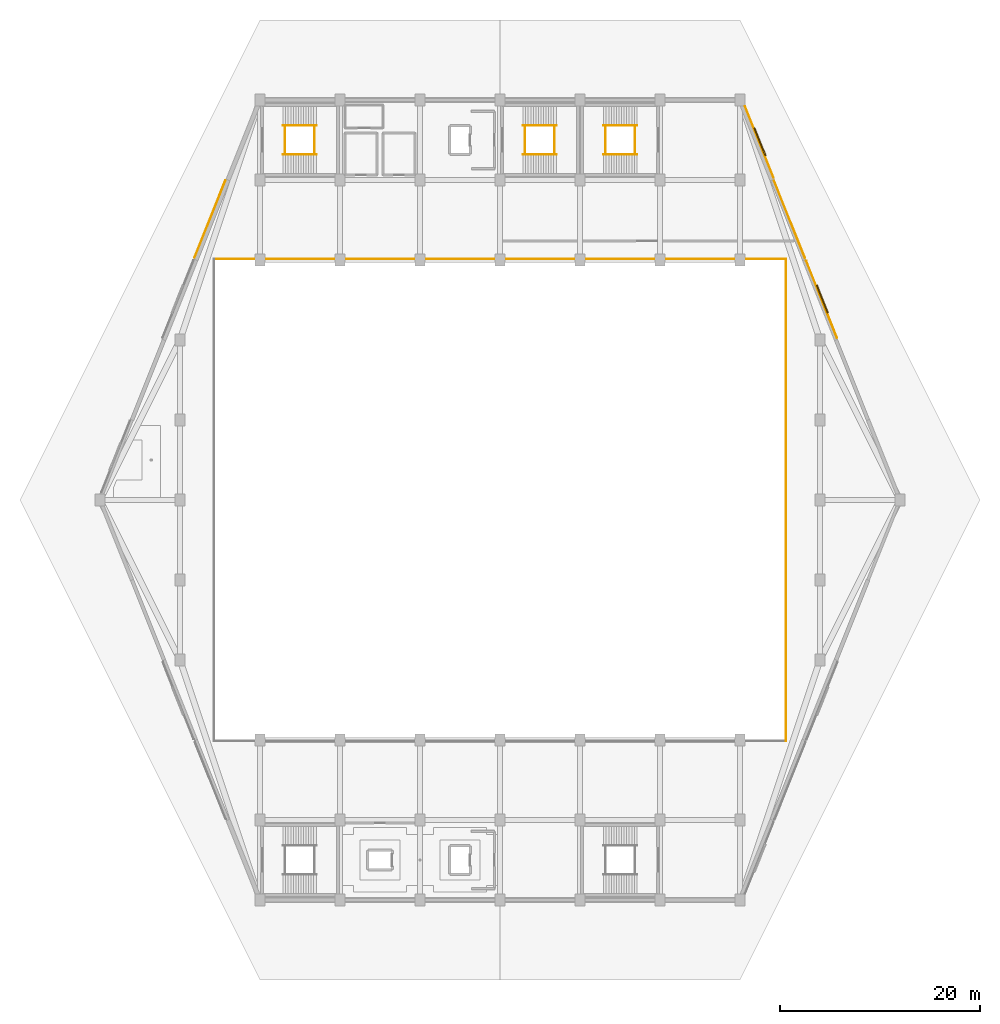
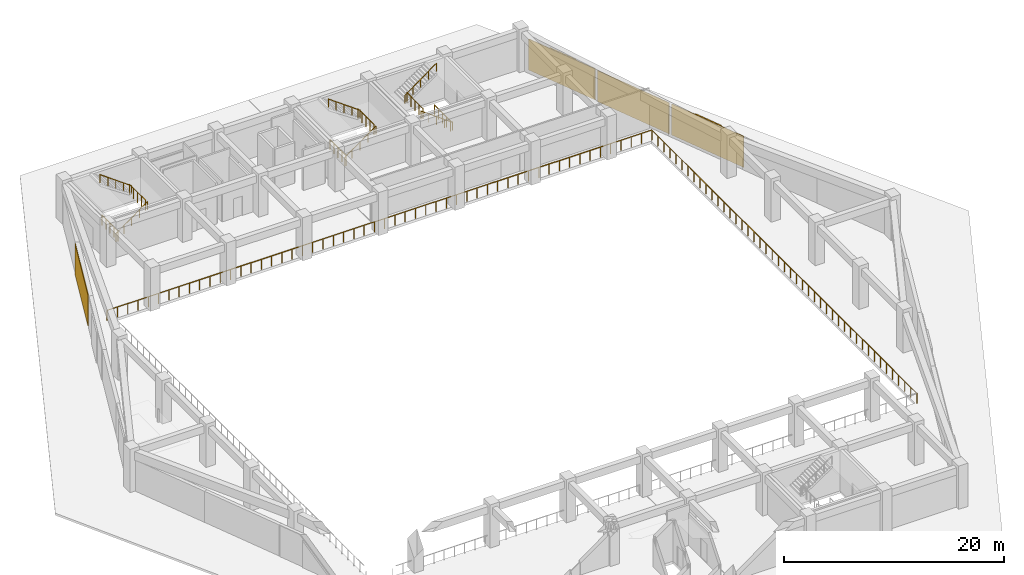
# One storey, part 8 of 8: 14 railings, 4 coverings, 2 shading devices.
"""IFC4 building model written with IfcOpenShell, lengths in metres."""

from ifc_helpers import new_model, si_unit, direction, frame, origin, origin_2d, place, context, subcontext, project, spatial, rectangle, circle, extrude, material, layer, layer_set, type_object, element, save


model = new_model("IFC4")

# Units and contexts
model_context = context("Model", 3, precision=1e-05, world=origin(), true_north=direction((0.0, 1.0)))
body_context = subcontext(model_context, "Body", "Model", "MODEL_VIEW")
ifc_project = project(units=[si_unit("LENGTHUNIT", "METRE"), si_unit("AREAUNIT", "SQUARE_METRE"), si_unit("VOLUMEUNIT", "CUBIC_METRE"), si_unit("PLANEANGLEUNIT", "RADIAN"), si_unit("MASSUNIT", "GRAM", prefix="KILO")], contexts=[model_context])

# Site, building, storey
site_placement = place(None, origin())
site = spatial("IfcSite", under=ifc_project, at=site_placement, CompositionType="ELEMENT")
building_placement = place(site_placement, origin())
building = spatial("IfcBuilding", under=site, at=building_placement, Name="Tazarka Park Arena", CompositionType="ELEMENT")
storey_placement = place(building_placement, frame((0.0, 0.0, 19.800048828125)))
storey = spatial("IfcBuildingStorey", under=building, at=storey_placement, Name="L04", CompositionType="ELEMENT", Elevation=19.800048828125)

# Coverings
ifc_material_1 = material(Name="Dark ribbed perforated bronze-charcoal aluminium mesh", Category="aluminium")
ifc_layer = layer(ifc_material_1, 0.06005859375, Name="Dark ribbed perforated bronze-charcoal aluminium mesh")
ifc_layer_set = layer_set([ifc_layer], Name="Dark ribbed perforated bronze-charcoal aluminium mesh")
covering_type = type_object("IfcCoveringType", Name="CLD-01", PredefinedType="CLADDING", material=ifc_layer_set)
covering_placement = place(storey_placement, frame((113.93408203125, 99.79736328125, 0.0), z_axis=(0.0, 0.0, 1.0), x_axis=(0.37136783555, -0.928485826881, 0.0)))
element("IfcCovering", 1, at=covering_placement, inside=storey, type_object=covering_type, Name="Ribbed Metal Mesh Cladding EW-L04-0335", PredefinedType="CLADDING", context=body_context, shape_type="SweptSolid", body=[
    extrude(rectangle(XDim=7.691650390625, YDim=0.06005859375, at=origin_2d()), origin(), (0.0, 0.0, 1.0), 3.449951171875),
])
for number, where, z_axis, x_axis, name in (
    (2, (116.957763671875, 92.06298828125, 0.0), (0.0, 0.0, 1.0), (0.37136783555, -0.928485826881, 0.0), "Ribbed Metal Mesh Cladding EW-L04-0336"),
    (3, (120.1669921875, 84.06689453125, 0.0), (0.0, 0.0, 1.0), (0.37136783555, -0.928485826881, 0.0), "Ribbed Metal Mesh Cladding EW-L04-0337"),
    (4, (58.9912109375, 92.08349609375, 0.0), (0.0, 0.0, 1.0), (0.37136783555, 0.928485826881, 0.0), "Ribbed Metal Mesh Cladding EW-L04-0349"),
):
    element("IfcCovering", number, at=place(storey_placement, frame(where, z_axis=z_axis, x_axis=x_axis)), inside=storey, type_object=covering_type, Name=name, PredefinedType="CLADDING", context=body_context, shape_type="SweptSolid", body=[
        extrude(rectangle(XDim=8.31640625, YDim=0.06005859375, at=origin_2d()), origin(), (0.0, 0.0, 1.0), 3.449951171875),
    ])

# Railings
ifc_material_2 = material(Name="Brushed architectural stainless steel", Category="steel")
railing_type_1 = type_object("IfcRailingType", Name="HR-01", PredefinedType="HANDRAIL", material=ifc_material_2)
railing_1_placement = place(storey_placement, frame((101.68505859375, 98.550048828125, 0.0)))
element("IfcRailing", 5, at=railing_1_placement, inside=storey, type_object=railing_type_1, Name="Stair Handrail ST10-L04-F1", PredefinedType="HANDRAIL", context=body_context, shape_type="SweptSolid", body=[
    extrude(circle(Radius=0.02392578125, at=origin_2d()), frame((0.0, 0.0, 0.89599609375), z_axis=(-0.810008566192, 0.0, 0.586418044312), x_axis=(0.0, -1.0, 0.0)), (0.0, 0.0, 1.0), 4.092529296875),
    extrude(circle(Radius=0.02099609375, at=origin_2d()), origin(), (0.0, 0.0, 1.0), 0.871826171875),
    extrude(circle(Radius=0.02099609375, at=origin_2d()), frame((-0.82861328125, 0.0, 0.60009765625)), (0.0, 0.0, 1.0), 0.871826171875),
    extrude(circle(Radius=0.02099609375, at=origin_2d()), frame((-1.657470703125, 0.0, 1.199951171875)), (0.0, 0.0, 1.0), 0.871826171875),
    extrude(circle(Radius=0.02099609375, at=origin_2d()), frame((-2.486328125, 0.0, 1.7998046875)), (0.0, 0.0, 1.0), 0.871826171875),
    extrude(circle(Radius=0.02099609375, at=origin_2d()), frame((-3.31494140625, 0.0, 2.39990234375)), (0.0, 0.0, 1.0), 0.871826171875),
])
railing_2_placement = place(storey_placement, frame((98.3701171875, 101.449951171875, 2.39990234375)))
element("IfcRailing", 6, at=railing_2_placement, inside=storey, type_object=railing_type_1, Name="Stair Handrail ST10-L04-F2", PredefinedType="HANDRAIL", context=body_context, shape_type="SweptSolid", body=[
    extrude(circle(Radius=0.02392578125, at=origin_2d()), frame((0.0, 0.0, 0.89599609375), z_axis=(0.809980229442, 0.0, 0.586457183359), x_axis=(0.0, 1.0, 0.0)), (0.0, 0.0, 1.0), 4.092529296875),
    extrude(circle(Radius=0.02099609375, at=origin_2d()), origin(), (0.0, 0.0, 1.0), 0.871826171875),
    extrude(circle(Radius=0.02099609375, at=origin_2d()), frame((0.82861328125, 0.0, 0.60009765625)), (0.0, 0.0, 1.0), 0.871826171875),
    extrude(circle(Radius=0.02099609375, at=origin_2d()), frame((1.657470703125, 0.0, 1.2001953125)), (0.0, 0.0, 1.0), 0.871826171875),
    extrude(circle(Radius=0.02099609375, at=origin_2d()), frame((2.486328125, 0.0, 1.800048828125)), (0.0, 0.0, 1.0), 0.871826171875),
    extrude(circle(Radius=0.02099609375, at=origin_2d()), frame((3.31494140625, 0.0, 2.400146484375)), (0.0, 0.0, 1.0), 0.871826171875),
])
railing_3_placement = place(storey_placement, frame((66.31494140625, 98.550048828125, 0.0)))
element("IfcRailing", 7, at=railing_3_placement, inside=storey, type_object=railing_type_1, Name="Stair Handrail ST14-L04-F1", PredefinedType="HANDRAIL", context=body_context, shape_type="SweptSolid", body=[
    extrude(circle(Radius=0.02392578125, at=origin_2d()), frame((0.0, 0.0, 0.89599609375), z_axis=(0.810008566192, 0.0, 0.586418044312), x_axis=(0.0, 1.0, 0.0)), (0.0, 0.0, 1.0), 4.092529296875),
    extrude(circle(Radius=0.02099609375, at=origin_2d()), origin(), (0.0, 0.0, 1.0), 0.871826171875),
    extrude(circle(Radius=0.02099609375, at=origin_2d()), frame((0.82861328125, 0.0, 0.60009765625)), (0.0, 0.0, 1.0), 0.871826171875),
    extrude(circle(Radius=0.02099609375, at=origin_2d()), frame((1.657470703125, 0.0, 1.199951171875)), (0.0, 0.0, 1.0), 0.871826171875),
    extrude(circle(Radius=0.02099609375, at=origin_2d()), frame((2.486328125, 0.0, 1.7998046875)), (0.0, 0.0, 1.0), 0.871826171875),
    extrude(circle(Radius=0.02099609375, at=origin_2d()), frame((3.31494140625, 0.0, 2.39990234375)), (0.0, 0.0, 1.0), 0.871826171875),
])
railing_4_placement = place(storey_placement, frame((69.6298828125, 101.449951171875, 2.39990234375)))
element("IfcRailing", 8, at=railing_4_placement, inside=storey, type_object=railing_type_1, Name="Stair Handrail ST14-L04-F2", PredefinedType="HANDRAIL", context=body_context, shape_type="SweptSolid", body=[
    extrude(circle(Radius=0.02392578125, at=origin_2d()), frame((0.0, 0.0, 0.89599609375), z_axis=(-0.809980229442, 0.0, 0.586457183359), x_axis=(0.0, -1.0, 0.0)), (0.0, 0.0, 1.0), 4.092529296875),
    extrude(circle(Radius=0.02099609375, at=origin_2d()), origin(), (0.0, 0.0, 1.0), 0.871826171875),
    extrude(circle(Radius=0.02099609375, at=origin_2d()), frame((-0.82861328125, 0.0, 0.60009765625)), (0.0, 0.0, 1.0), 0.871826171875),
    extrude(circle(Radius=0.02099609375, at=origin_2d()), frame((-1.657470703125, 0.0, 1.2001953125)), (0.0, 0.0, 1.0), 0.871826171875),
    extrude(circle(Radius=0.02099609375, at=origin_2d()), frame((-2.486328125, 0.0, 1.800048828125)), (0.0, 0.0, 1.0), 0.871826171875),
    extrude(circle(Radius=0.02099609375, at=origin_2d()), frame((-3.31494140625, 0.0, 2.400146484375)), (0.0, 0.0, 1.0), 0.871826171875),
])
railing_5_placement = place(storey_placement, frame((90.31494140625, 98.550048828125, 0.0)))
element("IfcRailing", 9, at=railing_5_placement, inside=storey, type_object=railing_type_1, Name="Stair Handrail ST15-L04-F1", PredefinedType="HANDRAIL", context=body_context, shape_type="SweptSolid", body=[
    extrude(circle(Radius=0.02392578125, at=origin_2d()), frame((0.0, 0.0, 0.89599609375), z_axis=(0.810008566192, 0.0, 0.586418044312), x_axis=(0.0, 1.0, 0.0)), (0.0, 0.0, 1.0), 4.092529296875),
    extrude(circle(Radius=0.02099609375, at=origin_2d()), origin(), (0.0, 0.0, 1.0), 0.871826171875),
    extrude(circle(Radius=0.02099609375, at=origin_2d()), frame((0.82861328125, 0.0, 0.60009765625)), (0.0, 0.0, 1.0), 0.871826171875),
    extrude(circle(Radius=0.02099609375, at=origin_2d()), frame((1.657470703125, 0.0, 1.199951171875)), (0.0, 0.0, 1.0), 0.871826171875),
    extrude(circle(Radius=0.02099609375, at=origin_2d()), frame((2.486328125, 0.0, 1.7998046875)), (0.0, 0.0, 1.0), 0.871826171875),
    extrude(circle(Radius=0.02099609375, at=origin_2d()), frame((3.31494140625, 0.0, 2.39990234375)), (0.0, 0.0, 1.0), 0.871826171875),
])
railing_6_placement = place(storey_placement, frame((93.6298828125, 101.449951171875, 2.39990234375)))
element("IfcRailing", 10, at=railing_6_placement, inside=storey, type_object=railing_type_1, Name="Stair Handrail ST15-L04-F2", PredefinedType="HANDRAIL", context=body_context, shape_type="SweptSolid", body=[
    extrude(circle(Radius=0.02392578125, at=origin_2d()), frame((0.0, 0.0, 0.89599609375), z_axis=(-0.809980229442, 0.0, 0.586457183359), x_axis=(0.0, -1.0, 0.0)), (0.0, 0.0, 1.0), 4.092529296875),
    extrude(circle(Radius=0.02099609375, at=origin_2d()), origin(), (0.0, 0.0, 1.0), 0.871826171875),
    extrude(circle(Radius=0.02099609375, at=origin_2d()), frame((-0.82861328125, 0.0, 0.60009765625)), (0.0, 0.0, 1.0), 0.871826171875),
    extrude(circle(Radius=0.02099609375, at=origin_2d()), frame((-1.657470703125, 0.0, 1.2001953125)), (0.0, 0.0, 1.0), 0.871826171875),
    extrude(circle(Radius=0.02099609375, at=origin_2d()), frame((-2.486328125, 0.0, 1.800048828125)), (0.0, 0.0, 1.0), 0.871826171875),
    extrude(circle(Radius=0.02099609375, at=origin_2d()), frame((-3.31494140625, 0.0, 2.400146484375)), (0.0, 0.0, 1.0), 0.871826171875),
])
ifc_material_3 = material(Name="Galvanised powder-coated architectural steel", Category="steel")
railing_type_2 = type_object("IfcRailingType", Name="IGR-01", PredefinedType="GUARDRAIL", material=ifc_material_3)
for number, where, name in (
    (11, (101.485107421875, 98.550048828125, 0.0), "Stair Well Guardrail ST10-L04"),
    (12, (98.570068359375, 98.550048828125, 2.39990234375), "Landing Guardrail ST10-L04-M"),
    (13, (66.514892578125, 98.550048828125, 0.0), "Stair Well Guardrail ST14-L04"),
    (14, (69.429931640625, 98.550048828125, 2.39990234375), "Landing Guardrail ST14-L04-M"),
    (15, (90.514892578125, 98.550048828125, 0.0), "Stair Well Guardrail ST15-L04"),
    (16, (93.429931640625, 98.550048828125, 2.39990234375), "Landing Guardrail ST15-L04-M"),
):
    element("IfcRailing", number, at=place(storey_placement, frame(where)), inside=storey, type_object=railing_type_2, Name=name, PredefinedType="GUARDRAIL", context=body_context, shape_type="SweptSolid", body=[
        extrude(circle(Radius=0.02392578125, at=origin_2d()), frame((0.0, 0.0, 1.1259765625), z_axis=(0.0, 1.0, 0.0), x_axis=(-1.0, 0.0, 0.0)), (0.0, 0.0, 1.0), 2.89990234375),
        extrude(circle(Radius=0.02099609375, at=origin_2d()), origin(), (0.0, 0.0, 1.0), 1.101806640625),
        extrude(circle(Radius=0.02099609375, at=origin_2d()), frame((0.0, 0.72509765625, 0.0)), (0.0, 0.0, 1.0), 1.101806640625),
        extrude(circle(Radius=0.02099609375, at=origin_2d()), frame((0.0, 1.449951171875, 0.0)), (0.0, 0.0, 1.0), 1.101806640625),
        extrude(circle(Radius=0.02099609375, at=origin_2d()), frame((0.0, 2.1748046875, 0.0)), (0.0, 0.0, 1.0), 1.101806640625),
        extrude(circle(Radius=0.02099609375, at=origin_2d()), frame((0.0, 2.89990234375, 0.0)), (0.0, 0.0, 1.0), 1.101806640625),
    ])
railing_7_placement = place(storey_placement, frame((116.6201171875, 39.8798828125, 0.0)))
element("IfcRailing", 17, at=railing_7_placement, inside=storey, type_object=railing_type_2, Name="Interior Barrier Guardrail IGR-01-016", PredefinedType="GUARDRAIL", context=body_context, shape_type="SweptSolid", body=[
    extrude(circle(Radius=0.02392578125, at=origin_2d()), frame((0.0, 0.0, 1.1259765625), z_axis=(0.0, 1.0, 0.0), x_axis=(-1.0, 0.0, 0.0)), (0.0, 0.0, 1.0), 48.240234375),
    extrude(circle(Radius=0.02099609375, at=origin_2d()), origin(), (0.0, 0.0, 1.0), 1.101806640625),
    extrude(circle(Radius=0.02099609375, at=origin_2d()), frame((0.0, 1.096435546875, 0.0)), (0.0, 0.0, 1.0), 1.101806640625),
    extrude(circle(Radius=0.02099609375, at=origin_2d()), frame((0.0, 2.192626953125, 0.0)), (0.0, 0.0, 1.0), 1.101806640625),
    extrude(circle(Radius=0.02099609375, at=origin_2d()), frame((0.0, 3.2890625, 0.0)), (0.0, 0.0, 1.0), 1.101806640625),
    extrude(circle(Radius=0.02099609375, at=origin_2d()), frame((0.0, 4.385498046875, 0.0)), (0.0, 0.0, 1.0), 1.101806640625),
    extrude(circle(Radius=0.02099609375, at=origin_2d()), frame((0.0, 5.48193359375, 0.0)), (0.0, 0.0, 1.0), 1.101806640625),
    extrude(circle(Radius=0.02099609375, at=origin_2d()), frame((0.0, 6.578125, 0.0)), (0.0, 0.0, 1.0), 1.101806640625),
    extrude(circle(Radius=0.02099609375, at=origin_2d()), frame((0.0, 7.674560546875, 0.0)), (0.0, 0.0, 1.0), 1.101806640625),
    extrude(circle(Radius=0.02099609375, at=origin_2d()), frame((0.0, 8.77099609375, 0.0)), (0.0, 0.0, 1.0), 1.101806640625),
    extrude(circle(Radius=0.02099609375, at=origin_2d()), frame((0.0, 9.867431640625, 0.0)), (0.0, 0.0, 1.0), 1.101806640625),
    extrude(circle(Radius=0.02099609375, at=origin_2d()), frame((0.0, 10.963623046875, 0.0)), (0.0, 0.0, 1.0), 1.101806640625),
    extrude(circle(Radius=0.02099609375, at=origin_2d()), frame((0.0, 12.06005859375, 0.0)), (0.0, 0.0, 1.0), 1.101806640625),
    extrude(circle(Radius=0.02099609375, at=origin_2d()), frame((0.0, 13.156494140625, 0.0)), (0.0, 0.0, 1.0), 1.101806640625),
    extrude(circle(Radius=0.02099609375, at=origin_2d()), frame((0.0, 14.252685546875, 0.0)), (0.0, 0.0, 1.0), 1.101806640625),
    extrude(circle(Radius=0.02099609375, at=origin_2d()), frame((0.0, 15.34912109375, 0.0)), (0.0, 0.0, 1.0), 1.101806640625),
    extrude(circle(Radius=0.02099609375, at=origin_2d()), frame((0.0, 16.445556640625, 0.0)), (0.0, 0.0, 1.0), 1.101806640625),
    extrude(circle(Radius=0.02099609375, at=origin_2d()), frame((0.0, 17.5419921875, 0.0)), (0.0, 0.0, 1.0), 1.101806640625),
    extrude(circle(Radius=0.02099609375, at=origin_2d()), frame((0.0, 18.63818359375, 0.0)), (0.0, 0.0, 1.0), 1.101806640625),
    extrude(circle(Radius=0.02099609375, at=origin_2d()), frame((0.0, 19.734619140625, 0.0)), (0.0, 0.0, 1.0), 1.101806640625),
    extrude(circle(Radius=0.02099609375, at=origin_2d()), frame((0.0, 20.8310546875, 0.0)), (0.0, 0.0, 1.0), 1.101806640625),
    extrude(circle(Radius=0.02099609375, at=origin_2d()), frame((0.0, 21.927490234375, 0.0)), (0.0, 0.0, 1.0), 1.101806640625),
    extrude(circle(Radius=0.02099609375, at=origin_2d()), frame((0.0, 23.023681640625, 0.0)), (0.0, 0.0, 1.0), 1.101806640625),
    extrude(circle(Radius=0.02099609375, at=origin_2d()), frame((0.0, 24.1201171875, 0.0)), (0.0, 0.0, 1.0), 1.101806640625),
    extrude(circle(Radius=0.02099609375, at=origin_2d()), frame((0.0, 25.216552734375, 0.0)), (0.0, 0.0, 1.0), 1.101806640625),
    extrude(circle(Radius=0.02099609375, at=origin_2d()), frame((0.0, 26.312744140625, 0.0)), (0.0, 0.0, 1.0), 1.101806640625),
    extrude(circle(Radius=0.02099609375, at=origin_2d()), frame((0.0, 27.4091796875, 0.0)), (0.0, 0.0, 1.0), 1.101806640625),
    extrude(circle(Radius=0.02099609375, at=origin_2d()), frame((0.0, 28.505615234375, 0.0)), (0.0, 0.0, 1.0), 1.101806640625),
    extrude(circle(Radius=0.02099609375, at=origin_2d()), frame((0.0, 29.60205078125, 0.0)), (0.0, 0.0, 1.0), 1.101806640625),
    extrude(circle(Radius=0.02099609375, at=origin_2d()), frame((0.0, 30.6982421875, 0.0)), (0.0, 0.0, 1.0), 1.101806640625),
    extrude(circle(Radius=0.02099609375, at=origin_2d()), frame((0.0, 31.794677734375, 0.0)), (0.0, 0.0, 1.0), 1.101806640625),
    extrude(circle(Radius=0.02099609375, at=origin_2d()), frame((0.0, 32.89111328125, 0.0)), (0.0, 0.0, 1.0), 1.101806640625),
    extrude(circle(Radius=0.02099609375, at=origin_2d()), frame((0.0, 33.987548828125, 0.0)), (0.0, 0.0, 1.0), 1.101806640625),
    extrude(circle(Radius=0.02099609375, at=origin_2d()), frame((0.0, 35.083740234375, 0.0)), (0.0, 0.0, 1.0), 1.101806640625),
    extrude(circle(Radius=0.02099609375, at=origin_2d()), frame((0.0, 36.18017578125, 0.0)), (0.0, 0.0, 1.0), 1.101806640625),
    extrude(circle(Radius=0.02099609375, at=origin_2d()), frame((0.0, 37.276611328125, 0.0)), (0.0, 0.0, 1.0), 1.101806640625),
    extrude(circle(Radius=0.02099609375, at=origin_2d()), frame((0.0, 38.372802734375, 0.0)), (0.0, 0.0, 1.0), 1.101806640625),
    extrude(circle(Radius=0.02099609375, at=origin_2d()), frame((0.0, 39.46923828125, 0.0)), (0.0, 0.0, 1.0), 1.101806640625),
    extrude(circle(Radius=0.02099609375, at=origin_2d()), frame((0.0, 40.565673828125, 0.0)), (0.0, 0.0, 1.0), 1.101806640625),
    extrude(circle(Radius=0.02099609375, at=origin_2d()), frame((0.0, 41.662109375, 0.0)), (0.0, 0.0, 1.0), 1.101806640625),
    extrude(circle(Radius=0.02099609375, at=origin_2d()), frame((0.0, 42.75830078125, 0.0)), (0.0, 0.0, 1.0), 1.101806640625),
    extrude(circle(Radius=0.02099609375, at=origin_2d()), frame((0.0, 43.854736328125, 0.0)), (0.0, 0.0, 1.0), 1.101806640625),
    extrude(circle(Radius=0.02099609375, at=origin_2d()), frame((0.0, 44.951171875, 0.0)), (0.0, 0.0, 1.0), 1.101806640625),
    extrude(circle(Radius=0.02099609375, at=origin_2d()), frame((0.0, 46.047607421875, 0.0)), (0.0, 0.0, 1.0), 1.101806640625),
    extrude(circle(Radius=0.02099609375, at=origin_2d()), frame((0.0, 47.143798828125, 0.0)), (0.0, 0.0, 1.0), 1.101806640625),
    extrude(circle(Radius=0.02099609375, at=origin_2d()), frame((0.0, 48.240234375, 0.0)), (0.0, 0.0, 1.0), 1.101806640625),
])
railing_8_placement = place(storey_placement, frame((59.3798828125, 88.1201171875, 0.0)))
element("IfcRailing", 18, at=railing_8_placement, inside=storey, type_object=railing_type_2, Name="Interior Barrier Guardrail IGR-01-018", PredefinedType="GUARDRAIL", context=body_context, shape_type="SweptSolid", body=[
    extrude(circle(Radius=0.02392578125, at=origin_2d()), frame((0.0, 0.0, 1.1259765625), z_axis=(1.0, 0.0, 0.0), x_axis=(0.0, 1.0, 0.0)), (0.0, 0.0, 1.0), 57.240234375),
    extrude(circle(Radius=0.02099609375, at=origin_2d()), origin(), (0.0, 0.0, 1.0), 1.101806640625),
    extrude(circle(Radius=0.02099609375, at=origin_2d()), frame((1.080078125, 0.0, 0.0)), (0.0, 0.0, 1.0), 1.101806640625),
    extrude(circle(Radius=0.02099609375, at=origin_2d()), frame((2.159912109375, 0.0, 0.0)), (0.0, 0.0, 1.0), 1.101806640625),
    extrude(circle(Radius=0.02099609375, at=origin_2d()), frame((3.239990234375, 0.0, 0.0)), (0.0, 0.0, 1.0), 1.101806640625),
    extrude(circle(Radius=0.02099609375, at=origin_2d()), frame((4.320068359375, 0.0, 0.0)), (0.0, 0.0, 1.0), 1.101806640625),
    extrude(circle(Radius=0.02099609375, at=origin_2d()), frame((5.39990234375, 0.0, 0.0)), (0.0, 0.0, 1.0), 1.101806640625),
    extrude(circle(Radius=0.02099609375, at=origin_2d()), frame((6.47998046875, 0.0, 0.0)), (0.0, 0.0, 1.0), 1.101806640625),
    extrude(circle(Radius=0.02099609375, at=origin_2d()), frame((7.56005859375, 0.0, 0.0)), (0.0, 0.0, 1.0), 1.101806640625),
    extrude(circle(Radius=0.02099609375, at=origin_2d()), frame((8.64013671875, 0.0, 0.0)), (0.0, 0.0, 1.0), 1.101806640625),
    extrude(circle(Radius=0.02099609375, at=origin_2d()), frame((9.719970703125, 0.0, 0.0)), (0.0, 0.0, 1.0), 1.101806640625),
    extrude(circle(Radius=0.02099609375, at=origin_2d()), frame((10.800048828125, 0.0, 0.0)), (0.0, 0.0, 1.0), 1.101806640625),
    extrude(circle(Radius=0.02099609375, at=origin_2d()), frame((11.880126953125, 0.0, 0.0)), (0.0, 0.0, 1.0), 1.101806640625),
    extrude(circle(Radius=0.02099609375, at=origin_2d()), frame((12.9599609375, 0.0, 0.0)), (0.0, 0.0, 1.0), 1.101806640625),
    extrude(circle(Radius=0.02099609375, at=origin_2d()), frame((14.0400390625, 0.0, 0.0)), (0.0, 0.0, 1.0), 1.101806640625),
    extrude(circle(Radius=0.02099609375, at=origin_2d()), frame((15.1201171875, 0.0, 0.0)), (0.0, 0.0, 1.0), 1.101806640625),
    extrude(circle(Radius=0.02099609375, at=origin_2d()), frame((16.199951171875, 0.0, 0.0)), (0.0, 0.0, 1.0), 1.101806640625),
    extrude(circle(Radius=0.02099609375, at=origin_2d()), frame((17.280029296875, 0.0, 0.0)), (0.0, 0.0, 1.0), 1.101806640625),
    extrude(circle(Radius=0.02099609375, at=origin_2d()), frame((18.360107421875, 0.0, 0.0)), (0.0, 0.0, 1.0), 1.101806640625),
    extrude(circle(Radius=0.02099609375, at=origin_2d()), frame((19.440185546875, 0.0, 0.0)), (0.0, 0.0, 1.0), 1.101806640625),
    extrude(circle(Radius=0.02099609375, at=origin_2d()), frame((20.52001953125, 0.0, 0.0)), (0.0, 0.0, 1.0), 1.101806640625),
    extrude(circle(Radius=0.02099609375, at=origin_2d()), frame((21.60009765625, 0.0, 0.0)), (0.0, 0.0, 1.0), 1.101806640625),
    extrude(circle(Radius=0.02099609375, at=origin_2d()), frame((22.68017578125, 0.0, 0.0)), (0.0, 0.0, 1.0), 1.101806640625),
    extrude(circle(Radius=0.02099609375, at=origin_2d()), frame((23.760009765625, 0.0, 0.0)), (0.0, 0.0, 1.0), 1.101806640625),
    extrude(circle(Radius=0.02099609375, at=origin_2d()), frame((24.840087890625, 0.0, 0.0)), (0.0, 0.0, 1.0), 1.101806640625),
    extrude(circle(Radius=0.02099609375, at=origin_2d()), frame((25.920166015625, 0.0, 0.0)), (0.0, 0.0, 1.0), 1.101806640625),
    extrude(circle(Radius=0.02099609375, at=origin_2d()), frame((27.0, 0.0, 0.0)), (0.0, 0.0, 1.0), 1.101806640625),
    extrude(circle(Radius=0.02099609375, at=origin_2d()), frame((28.080078125, 0.0, 0.0)), (0.0, 0.0, 1.0), 1.101806640625),
    extrude(circle(Radius=0.02099609375, at=origin_2d()), frame((29.16015625, 0.0, 0.0)), (0.0, 0.0, 1.0), 1.101806640625),
    extrude(circle(Radius=0.02099609375, at=origin_2d()), frame((30.240234375, 0.0, 0.0)), (0.0, 0.0, 1.0), 1.101806640625),
    extrude(circle(Radius=0.02099609375, at=origin_2d()), frame((31.320068359375, 0.0, 0.0)), (0.0, 0.0, 1.0), 1.101806640625),
    extrude(circle(Radius=0.02099609375, at=origin_2d()), frame((32.400146484375, 0.0, 0.0)), (0.0, 0.0, 1.0), 1.101806640625),
    extrude(circle(Radius=0.02099609375, at=origin_2d()), frame((33.480224609375, 0.0, 0.0)), (0.0, 0.0, 1.0), 1.101806640625),
    extrude(circle(Radius=0.02099609375, at=origin_2d()), frame((34.56005859375, 0.0, 0.0)), (0.0, 0.0, 1.0), 1.101806640625),
    extrude(circle(Radius=0.02099609375, at=origin_2d()), frame((35.64013671875, 0.0, 0.0)), (0.0, 0.0, 1.0), 1.101806640625),
    extrude(circle(Radius=0.02099609375, at=origin_2d()), frame((36.72021484375, 0.0, 0.0)), (0.0, 0.0, 1.0), 1.101806640625),
    extrude(circle(Radius=0.02099609375, at=origin_2d()), frame((37.800048828125, 0.0, 0.0)), (0.0, 0.0, 1.0), 1.101806640625),
    extrude(circle(Radius=0.02099609375, at=origin_2d()), frame((38.880126953125, 0.0, 0.0)), (0.0, 0.0, 1.0), 1.101806640625),
    extrude(circle(Radius=0.02099609375, at=origin_2d()), frame((39.960205078125, 0.0, 0.0)), (0.0, 0.0, 1.0), 1.101806640625),
    extrude(circle(Radius=0.02099609375, at=origin_2d()), frame((41.040283203125, 0.0, 0.0)), (0.0, 0.0, 1.0), 1.101806640625),
    extrude(circle(Radius=0.02099609375, at=origin_2d()), frame((42.1201171875, 0.0, 0.0)), (0.0, 0.0, 1.0), 1.101806640625),
    extrude(circle(Radius=0.02099609375, at=origin_2d()), frame((43.2001953125, 0.0, 0.0)), (0.0, 0.0, 1.0), 1.101806640625),
    extrude(circle(Radius=0.02099609375, at=origin_2d()), frame((44.2802734375, 0.0, 0.0)), (0.0, 0.0, 1.0), 1.101806640625),
    extrude(circle(Radius=0.02099609375, at=origin_2d()), frame((45.360107421875, 0.0, 0.0)), (0.0, 0.0, 1.0), 1.101806640625),
    extrude(circle(Radius=0.02099609375, at=origin_2d()), frame((46.440185546875, 0.0, 0.0)), (0.0, 0.0, 1.0), 1.101806640625),
    extrude(circle(Radius=0.02099609375, at=origin_2d()), frame((47.520263671875, 0.0, 0.0)), (0.0, 0.0, 1.0), 1.101806640625),
    extrude(circle(Radius=0.02099609375, at=origin_2d()), frame((48.60009765625, 0.0, 0.0)), (0.0, 0.0, 1.0), 1.101806640625),
    extrude(circle(Radius=0.02099609375, at=origin_2d()), frame((49.68017578125, 0.0, 0.0)), (0.0, 0.0, 1.0), 1.101806640625),
    extrude(circle(Radius=0.02099609375, at=origin_2d()), frame((50.76025390625, 0.0, 0.0)), (0.0, 0.0, 1.0), 1.101806640625),
    extrude(circle(Radius=0.02099609375, at=origin_2d()), frame((51.84033203125, 0.0, 0.0)), (0.0, 0.0, 1.0), 1.101806640625),
    extrude(circle(Radius=0.02099609375, at=origin_2d()), frame((52.920166015625, 0.0, 0.0)), (0.0, 0.0, 1.0), 1.101806640625),
    extrude(circle(Radius=0.02099609375, at=origin_2d()), frame((54.000244140625, 0.0, 0.0)), (0.0, 0.0, 1.0), 1.101806640625),
    extrude(circle(Radius=0.02099609375, at=origin_2d()), frame((55.080322265625, 0.0, 0.0)), (0.0, 0.0, 1.0), 1.101806640625),
    extrude(circle(Radius=0.02099609375, at=origin_2d()), frame((56.16015625, 0.0, 0.0)), (0.0, 0.0, 1.0), 1.101806640625),
    extrude(circle(Radius=0.02099609375, at=origin_2d()), frame((57.240234375, 0.0, 0.0)), (0.0, 0.0, 1.0), 1.101806640625),
])

# Shading devices
ifc_material_4 = material(Name="Dark ribbed perforated bronze-charcoal aluminium mesh", Category="aluminium")
shading_device_type = type_object("IfcShadingDeviceType", Name="SHD-02", PredefinedType="JALOUSIE", material=ifc_material_4)
for number, where, z_axis, x_axis, name in (
    (19, (113.989990234375, 99.819580078125, 0.0), (0.0, 0.0, 1.0), (0.37136783555, -0.928485826881, 0.0), "Perforated Mesh Screen EW-L04-0335"),
    (20, (120.222900390625, 84.089111328125, 0.0), (0.0, 0.0, 1.0), (0.37136783555, -0.928485826881, 0.0), "Perforated Mesh Screen EW-L04-0337"),
):
    element("IfcShadingDevice", number, at=place(storey_placement, frame(where, z_axis=z_axis, x_axis=x_axis)), inside=storey, type_object=shading_device_type, Name=name, PredefinedType="JALOUSIE", context=body_context, shape_type="SweptSolid", body=[
        extrude(rectangle(XDim=3.0, YDim=0.139892578125, at=origin_2d()), origin(), (0.0, 0.0, 1.0), 3.449951171875),
    ])

save(model, "model.ifc")
